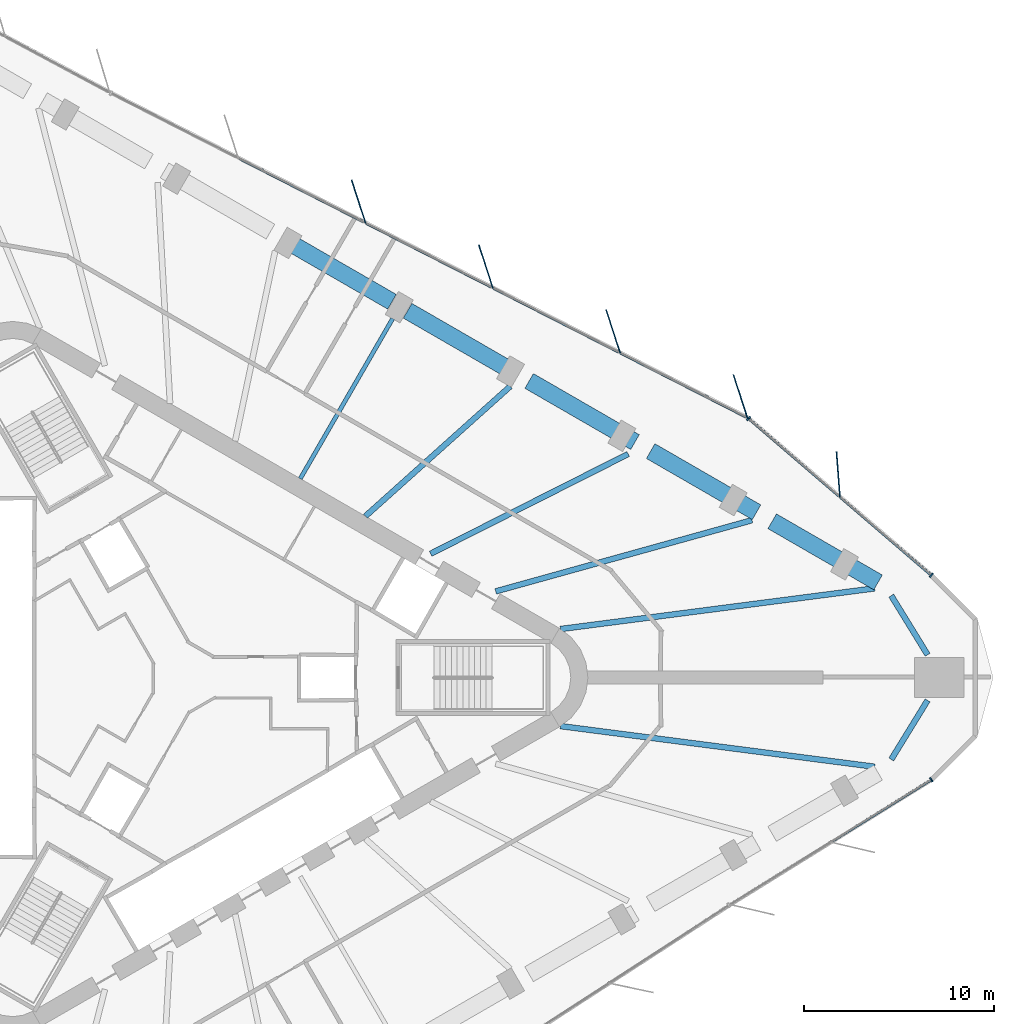
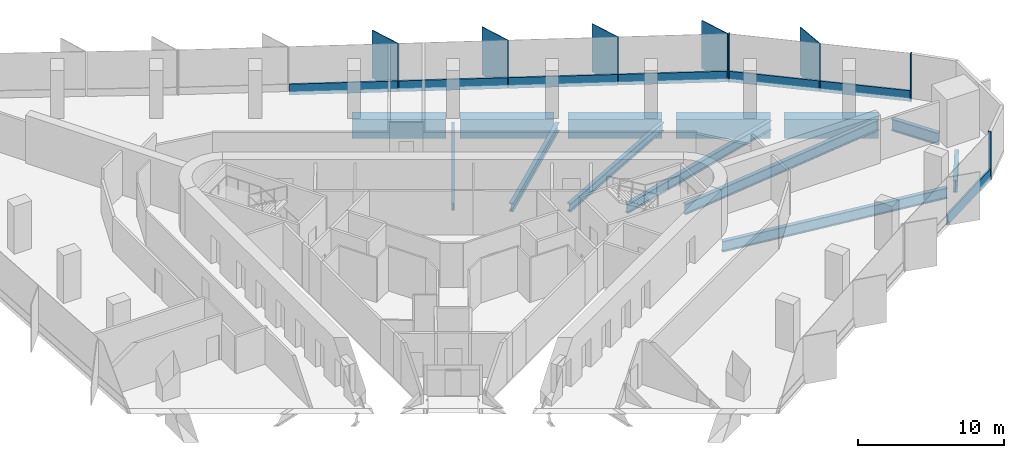
# One storey, part 5 of 13: 15 members, 13 beams, 3 elements without a shape of their own.
"""IFC4 building model written with IfcOpenShell, lengths in metres."""

from ifc_helpers import new_model, si_unit, direction, frame, origin, origin_2d, place, context, subcontext, project, spatial, rectangle, i_section, extrude, material, material_profile, profile_set, type_object, element, aggregate, save


model = new_model("IFC4")

# Units and contexts
model_context = context("Model", 3, precision=1e-05, world=origin(), true_north=direction((0.0, 1.0)))
body_context = subcontext(model_context, "Body", "Model", "MODEL_VIEW")
ifc_project = project(units=[si_unit("LENGTHUNIT", "METRE"), si_unit("AREAUNIT", "SQUARE_METRE"), si_unit("VOLUMEUNIT", "CUBIC_METRE"), si_unit("PLANEANGLEUNIT", "RADIAN"), si_unit("MASSUNIT", "GRAM", prefix="KILO")], contexts=[model_context])

# Site, building, storey
site_placement = place(None, origin())
site = spatial("IfcSite", under=ifc_project, at=site_placement, CompositionType="ELEMENT")
building_placement = place(site_placement, origin())
building = spatial("IfcBuilding", under=site, at=building_placement, Name="Tanit Gate Tower", CompositionType="ELEMENT")
storey_placement = place(building_placement, frame((0.0, 0.0, 169.199951171875)))
storey = spatial("IfcBuildingStorey", under=building, at=storey_placement, Name="L36", CompositionType="ELEMENT", Elevation=169.199951171875)

# Beams
ifc_material_1 = material(Name="Steel S460", Category="steel")
ifc_material_profile_1 = material_profile(ifc_material_1, i_section(OverallWidth=0.302001953125, OverallDepth=1.008056640625, WebThickness=0.02099609375, FlangeThickness=0.0400390625, FilletRadius=0.030029296875, at=origin_2d()), Name="HEM 1000")
ifc_profile_set_1 = profile_set([ifc_material_profile_1], Name="Steel S460")
beam_type_1 = type_object("IfcBeamType", Name="BELT TRUSS CHORD HEM 1000 S460", PredefinedType="BEAM", material=ifc_profile_set_1)
for number, where, z_axis, x_axis, name in (
    (1, (37.1787109375, -4.31396484375, -0.803955078125), (0.523601681964, 0.851963190898, 0.0), (-0.851963190898, 0.523601681964, 0.0), "BELT TRUSS CHORD"),
    (2, (39.092529296875, 1.199951171875, -0.803955078125), (-0.523601681964, 0.851963190898, 0.0), (-0.851963190898, -0.523601681964, 0.0), "BELT TRUSS CHORD"),
):
    element("IfcBeam", number, at=place(storey_placement, frame(where, z_axis=z_axis, x_axis=x_axis)), inside=storey, type_object=beam_type_1, Name=name, PredefinedType="BEAM", context=body_context, shape_type="SweptSolid", body=[
        extrude(i_section(OverallWidth=0.302001953125, OverallDepth=1.008056640625, WebThickness=0.02099609375, FlangeThickness=0.0400390625, FilletRadius=0.030029296875, at=origin_2d()), origin(), (0.0, 0.0, 1.0), 3.655029296875),
    ])

# Curtain wall, member
ifc_material_2 = material(Name="Aluminium bronze anodised and glass", Category="aluminium")
curtain_wall_type = type_object("IfcCurtainWallType", Name="Curtain wall typical mid", PredefinedType="NOTDEFINED", material=ifc_material_2)
curtain_wall_1_placement = place(storey_placement, origin())
curtain_wall_1 = element("IfcCurtainWall", 3, at=curtain_wall_1_placement, inside=storey, type_object=curtain_wall_type, Name="Curtain wall L36 NE1", PredefinedType="NOTDEFINED")
ifc_material_3 = material(Name="Aluminium bronze anodised", Category="aluminium")
ifc_material_profile_2 = material_profile(ifc_material_3, rectangle(XDim=2.39990234375, YDim=0.055908203125, at=origin_2d()), Name="56x2400 bronze fin mullion")
ifc_profile_set_2 = profile_set([ifc_material_profile_2], Name="Aluminium bronze anodised")
member_type_1 = type_object("IfcMemberType", Name="FIN MULLION 56x2400 bronze", PredefinedType="MULLION", material=ifc_profile_set_2)
member_1_placement = place(storey_placement, frame((34.385009765625, 10.6943359375, -0.300048828125), z_axis=(0.0, 0.0, 1.0), x_axis=(0.076470904404, -0.997071813251, 0.0)))
member_1 = element("IfcMember", 4, at=member_1_placement, type_object=member_type_1, Name="Fin mullion L36 NE1.2", PredefinedType="MULLION", context=body_context, shape_type="SweptSolid", body=[
    extrude(rectangle(XDim=2.39990234375, YDim=0.055908203125, at=origin_2d()), origin(), (0.0, 0.0, 1.0), 4.0),
])

# Curtain wall, members
curtain_wall_2_placement = place(storey_placement, origin())
curtain_wall_2 = element("IfcCurtainWall", 5, at=curtain_wall_2_placement, inside=storey, type_object=curtain_wall_type, Name="Curtain wall L36 NE2", PredefinedType="NOTDEFINED")
member_2_placement = place(storey_placement, frame((29.23388671875, 14.810546875, -0.300048828125), z_axis=(0.0, 0.0, 1.0), x_axis=(0.308568289465, -0.951202192353, 0.0)))
member_2 = element("IfcMember", 6, at=member_2_placement, type_object=member_type_1, Name="Fin mullion L36 NE2.1", PredefinedType="MULLION", context=body_context, shape_type="SweptSolid", body=[
    extrude(rectangle(XDim=2.39990234375, YDim=0.055908203125, at=origin_2d()), origin(), (0.0, 0.0, 1.0), 4.0),
])
member_3_placement = place(storey_placement, frame((22.530029296875, 18.23046875, -0.300048828125), z_axis=(0.0, 0.0, 1.0), x_axis=(0.308568289465, -0.951202192353, 0.0)))
member_3 = element("IfcMember", 7, at=member_3_placement, type_object=member_type_1, Name="Fin mullion L36 NE2.2", PredefinedType="MULLION", context=body_context, shape_type="SweptSolid", body=[
    extrude(rectangle(XDim=2.39990234375, YDim=0.055908203125, at=origin_2d()), origin(), (0.0, 0.0, 1.0), 4.0),
])
member_4_placement = place(storey_placement, frame((15.826171875, 21.650146484375, -0.300048828125), z_axis=(0.0, 0.0, 1.0), x_axis=(0.308568289465, -0.951202192353, 0.0)))
member_4 = element("IfcMember", 8, at=member_4_placement, type_object=member_type_1, Name="Fin mullion L36 NE2.3", PredefinedType="MULLION", context=body_context, shape_type="SweptSolid", body=[
    extrude(rectangle(XDim=2.39990234375, YDim=0.055908203125, at=origin_2d()), origin(), (0.0, 0.0, 1.0), 4.0),
])
member_5_placement = place(storey_placement, frame((9.1220703125, 25.070068359375, -0.300048828125), z_axis=(0.0, 0.0, 1.0), x_axis=(0.308568289465, -0.951202192353, 0.0)))
member_5 = element("IfcMember", 9, at=member_5_placement, type_object=member_type_1, Name="Fin mullion L36 NE2.4", PredefinedType="MULLION", context=body_context, shape_type="SweptSolid", body=[
    extrude(rectangle(XDim=2.39990234375, YDim=0.055908203125, at=origin_2d()), origin(), (0.0, 0.0, 1.0), 4.0),
])

# Member
ifc_material_4 = material(Name="Aluminium bronze anodised", Category="aluminium")
ifc_material_profile_3 = material_profile(ifc_material_4, rectangle(XDim=0.260009765625, YDim=0.080078125, at=origin_2d()), Name="80x260 bronze mullion")
ifc_profile_set_3 = profile_set([ifc_material_profile_3], Name="Aluminium bronze anodised")
member_type_2 = type_object("IfcMemberType", Name="Mullion 80x260 typical mid", PredefinedType="MULLION", material=ifc_profile_set_3)
member_6_placement = place(storey_placement, frame((39.28662109375, 5.39306640625, -0.300048828125), z_axis=(0.0, 0.0, 1.0), x_axis=(-0.650963145412, -0.759109335547, 0.0)))
member_6 = element("IfcMember", 10, at=member_6_placement, type_object=member_type_2, Name="Mullion L36 NE1.1", PredefinedType="MULLION", context=body_context, shape_type="SweptSolid", body=[
    extrude(rectangle(XDim=0.260009765625, YDim=0.080078125, at=origin_2d()), origin(), (0.0, 0.0, 1.0), 4.0),
])

member_7_placement = place(storey_placement, frame((29.66357421875, 13.645263671875, -0.300048828125), z_axis=(0.0, 0.0, 1.0), x_axis=(-0.650963145412, -0.759109335547, 0.0)))
member_7 = element("IfcMember", 11, at=member_7_placement, type_object=member_type_2, Name="Mullion L36 NE1.3", PredefinedType="MULLION", context=body_context, shape_type="SweptSolid", body=[
    extrude(rectangle(XDim=0.260009765625, YDim=0.080078125, at=origin_2d()), origin(), (0.0, 0.0, 1.0), 4.0),
])

# Curtain wall, member
curtain_wall_3_placement = place(storey_placement, origin())
curtain_wall_3 = element("IfcCurtainWall", 12, at=curtain_wall_3_placement, inside=storey, type_object=curtain_wall_type, Name="Curtain wall L36 SE3", PredefinedType="NOTDEFINED")
member_8_placement = place(storey_placement, frame((39.28955078125, -5.381591796875, -0.300048828125), z_axis=(0.0, 0.0, 1.0), x_axis=(-0.527101844908, 0.84980212114, 0.0)))
member_8 = element("IfcMember", 13, at=member_8_placement, type_object=member_type_2, Name="Mullion L36 SE3.3", PredefinedType="MULLION", context=body_context, shape_type="SweptSolid", body=[
    extrude(rectangle(XDim=0.260009765625, YDim=0.080078125, at=origin_2d()), origin(), (0.0, 0.0, 1.0), 4.0),
])

# Beams
ifc_material_5 = material(Name="Steel S355", Category="steel")
ifc_material_profile_4 = material_profile(ifc_material_5, i_section(OverallWidth=0.300048828125, OverallDepth=0.68994140625, WebThickness=0.014404296875, FlangeThickness=0.027099609375, FilletRadius=0.027099609375, at=origin_2d()), Name="HEA 700")
ifc_profile_set_4 = profile_set([ifc_material_profile_4], Name="Steel S355")
beam_type_2 = type_object("IfcBeamType", Name="RADIAL GIRDER HEA 700 S355", PredefinedType="BEAM", material=ifc_profile_set_4)
beam_1_placement = place(storey_placement, frame((23.3193359375, 11.774658203125, -0.64501953125), z_axis=(-0.892657080142, -0.450736438811, 0.0), x_axis=(0.450736438811, -0.892657080142, 0.0)))
element("IfcBeam", 14, at=beam_1_placement, inside=storey, type_object=beam_type_2, Name="RADIAL GIRDER", PredefinedType="BEAM", context=body_context, shape_type="SweptSolid", body=[
    extrude(i_section(OverallWidth=0.300048828125, OverallDepth=0.68994140625, WebThickness=0.014404296875, FlangeThickness=0.027099609375, FilletRadius=0.027099609375, at=origin_2d()), origin(), (0.0, 0.0, 1.0), 11.658935546875),
])
beam_2_placement = place(storey_placement, frame((17.104736328125, 15.33447265625, -0.64501953125), z_axis=(-0.744579249177, -0.667534075307, 0.0), x_axis=(0.667534075307, -0.744579249177, 0.0)))
element("IfcBeam", 15, at=beam_2_placement, inside=storey, type_object=beam_type_2, Name="RADIAL GIRDER", PredefinedType="BEAM", context=body_context, shape_type="SweptSolid", body=[
    extrude(i_section(OverallWidth=0.300048828125, OverallDepth=0.68994140625, WebThickness=0.014404296875, FlangeThickness=0.027099609375, FilletRadius=0.027099609375, at=origin_2d()), origin(), (0.0, 0.0, 1.0), 10.23828125),
])
ifc_material_6 = material(Name="Steel S355", Category="steel")
ifc_material_profile_5 = material_profile(ifc_material_6, i_section(OverallWidth=0.300048828125, OverallDepth=0.7900390625, WebThickness=0.014892578125, FlangeThickness=0.028076171875, FilletRadius=0.030029296875, at=origin_2d()), Name="HEA 800")
ifc_profile_set_5 = profile_set([ifc_material_profile_5], Name="Steel S355")
beam_type_3 = type_object("IfcBeamType", Name="RADIAL GIRDER HEA 800 S355", PredefinedType="BEAM", material=ifc_profile_set_5)
beam_3_placement = place(storey_placement, frame((29.841552734375, 8.288330078125, -0.695068359375), z_axis=(-0.9635276455, -0.267608812181, 0.0), x_axis=(0.267608812181, -0.9635276455, 0.0)))
element("IfcBeam", 16, at=beam_3_placement, inside=storey, type_object=beam_type_3, Name="RADIAL GIRDER", PredefinedType="BEAM", context=body_context, shape_type="SweptSolid", body=[
    extrude(i_section(OverallWidth=0.300048828125, OverallDepth=0.7900390625, WebThickness=0.014892578125, FlangeThickness=0.028076171875, FilletRadius=0.030029296875, at=origin_2d()), origin(), (0.0, 0.0, 1.0), 14.01025390625),
])
ifc_material_7 = material(Name="Steel S355", Category="steel")
ifc_material_profile_6 = material_profile(ifc_material_7, i_section(OverallWidth=0.300048828125, OverallDepth=0.889892578125, WebThickness=0.01611328125, FlangeThickness=0.030029296875, FilletRadius=0.030029296875, at=origin_2d()), Name="HEA 900")
ifc_profile_set_6 = profile_set([ifc_material_profile_6], Name="Steel S355")
beam_type_4 = type_object("IfcBeamType", Name="RADIAL GIRDER HEA 900 S355", PredefinedType="BEAM", material=ifc_profile_set_6)
for number, where, z_axis, x_axis, name in (
    (17, (36.302978515625, -4.697509765625, -0.744873046875), (-0.991730467471, 0.128338146668, 0.0), (-0.128338146668, -0.991730467471, 0.0), "RADIAL GIRDER"),
    (18, (36.302978515625, 4.697509765625, -0.744873046875), (-0.991730467471, -0.128338146668, 0.0), (0.128338146668, -0.991730467471, 0.0), "RADIAL GIRDER"),
):
    element("IfcBeam", number, at=place(storey_placement, frame(where, z_axis=z_axis, x_axis=x_axis)), inside=storey, type_object=beam_type_4, Name=name, PredefinedType="BEAM", context=body_context, shape_type="SweptSolid", body=[
        extrude(i_section(OverallWidth=0.300048828125, OverallDepth=0.889892578125, WebThickness=0.01611328125, FlangeThickness=0.030029296875, FilletRadius=0.030029296875, at=origin_2d()), origin(), (0.0, 0.0, 1.0), 16.683349609375),
    ])
ifc_material_8 = material(Name="Steel S355", Category="steel")
ifc_material_profile_7 = material_profile(ifc_material_8, i_section(OverallWidth=0.219970703125, OverallDepth=0.60009765625, WebThickness=0.011962890625, FlangeThickness=0.01904296875, FilletRadius=0.02392578125, at=origin_2d()), Name="IPE 600")
ifc_profile_set_7 = profile_set([ifc_material_profile_7], Name="Steel S355")
beam_type_5 = type_object("IfcBeamType", Name="RADIAL GIRDER IPE 600 S355", PredefinedType="BEAM", material=ifc_profile_set_7)
beam_4_placement = place(storey_placement, frame((10.916259765625, 18.907470703125, -0.599853515625), z_axis=(-0.500003351622, -0.866023468716, 0.0), x_axis=(0.866023468716, -0.500003351622, 0.0)))
element("IfcBeam", 19, at=beam_4_placement, inside=storey, type_object=beam_type_5, Name="RADIAL GIRDER", PredefinedType="BEAM", context=body_context, shape_type="SweptSolid", body=[
    extrude(i_section(OverallWidth=0.219970703125, OverallDepth=0.60009765625, WebThickness=0.011962890625, FlangeThickness=0.01904296875, FilletRadius=0.02392578125, at=origin_2d()), origin(), (0.0, 0.0, 1.0), 9.73046875),
])
ifc_material_9 = material(Name="Concrete C60/75", Category="concrete")
ifc_material_profile_8 = material_profile(ifc_material_9, rectangle(XDim=0.89990234375, YDim=1.60009765625, at=origin_2d()), Name="RC 900x1600")
ifc_profile_set_8 = profile_set([ifc_material_profile_8], Name="Concrete C60/75")
beam_type_6 = type_object("IfcBeamType", Name="TRANSFER GIRDER 900x1600 C60/75", PredefinedType="USERDEFINED", material=ifc_profile_set_8)
beam_5_placement = place(storey_placement, frame((36.484619140625, 5.01171875, -1.099853515625), z_axis=(-0.866023373617, 0.500003516336, 0.0), x_axis=(-0.500003516336, -0.866023373617, 0.0)))
element("IfcBeam", 20, at=beam_5_placement, inside=storey, type_object=beam_type_6, Name="TRANSFER GIRDER", ObjectType="GIRDER", PredefinedType="USERDEFINED", context=body_context, shape_type="SweptSolid", body=[
    extrude(rectangle(XDim=0.89990234375, YDim=1.60009765625, at=origin_2d()), origin(), (0.0, 0.0, 1.0), 6.44140625),
])
beam_6_placement = place(storey_placement, frame((30.08349609375, 8.707275390625, -1.099853515625), z_axis=(-0.86603284879, 0.49998710465, 0.0), x_axis=(-0.49998710465, -0.86603284879, 0.0)))
element("IfcBeam", 21, at=beam_6_placement, inside=storey, type_object=beam_type_6, Name="TRANSFER GIRDER", ObjectType="GIRDER", PredefinedType="USERDEFINED", context=body_context, shape_type="SweptSolid", body=[
    extrude(rectangle(XDim=0.89990234375, YDim=1.60009765625, at=origin_2d()), origin(), (0.0, 0.0, 1.0), 6.441650390625),
])
for number, where, z_axis, x_axis, name in (
    (22, (23.68212890625, 12.403076171875, -1.099853515625), (-0.866023373617, 0.500003516336, 0.0), (-0.500003516336, -0.866023373617, 0.0), "TRANSFER GIRDER"),
    (23, (17.281005859375, 16.0986328125, -1.099853515625), (-0.866006961327, 0.500031941914, 0.0), (-0.500031941914, -0.866006961327, 0.0), "TRANSFER GIRDER"),
    (24, (10.8798828125, 19.79443359375, -1.099853515625), (-0.866023373617, 0.500003516336, 0.0), (-0.500003516336, -0.866023373617, 0.0), "TRANSFER GIRDER"),
):
    element("IfcBeam", number, at=place(storey_placement, frame(where, z_axis=z_axis, x_axis=x_axis)), inside=storey, type_object=beam_type_6, Name=name, ObjectType="GIRDER", PredefinedType="USERDEFINED", context=body_context, shape_type="SweptSolid", body=[
        extrude(rectangle(XDim=0.89990234375, YDim=1.60009765625, at=origin_2d()), origin(), (0.0, 0.0, 1.0), 6.44140625),
    ])

# Member
ifc_material_10 = material(Name="Aluminium bronze anodised", Category="aluminium")
ifc_material_profile_9 = material_profile(ifc_material_10, rectangle(XDim=0.139892578125, YDim=0.89990234375, at=origin_2d()), Name="140x900 bronze transom")
ifc_profile_set_9 = profile_set([ifc_material_profile_9], Name="Aluminium bronze anodised")
member_type_3 = type_object("IfcMemberType", Name="Transom 140x900 typical mid", PredefinedType="USERDEFINED", material=ifc_profile_set_9)
member_9_placement = place(storey_placement, frame((39.256103515625, 5.419189453125, 0.150146484375), z_axis=(-0.759105129314, 0.650968050406, 0.0), x_axis=(-0.650968050406, -0.759105129314, 0.0)))
member_9 = element("IfcMember", 25, at=member_9_placement, type_object=member_type_3, Name="Transom L36 NE1.1", ObjectType="TRANSOM", PredefinedType="USERDEFINED", context=body_context, shape_type="SweptSolid", body=[
    extrude(rectangle(XDim=0.139892578125, YDim=0.89990234375, at=origin_2d()), origin(), (0.0, 0.0, 1.0), 6.25830078125),
])

member_10_placement = place(storey_placement, frame((34.444580078125, 9.545166015625, 0.150146484375), z_axis=(-0.759105129314, 0.650968050406, 0.0), x_axis=(-0.650968050406, -0.759105129314, 0.0)))
member_10 = element("IfcMember", 26, at=member_10_placement, type_object=member_type_3, Name="Transom L36 NE1.2", ObjectType="TRANSOM", PredefinedType="USERDEFINED", context=body_context, shape_type="SweptSolid", body=[
    extrude(rectangle(XDim=0.139892578125, YDim=0.89990234375, at=origin_2d()), origin(), (0.0, 0.0, 1.0), 6.25830078125),
])

aggregate(curtain_wall_1, [member_6, member_1, member_7, member_9, member_10])

member_11_placement = place(storey_placement, frame((29.56201171875, 13.70751953125, 0.150146484375), z_axis=(-0.890791394597, 0.454412468261, 0.0), x_axis=(-0.454412468261, -0.890791394597, 0.0)))
member_11 = element("IfcMember", 27, at=member_11_placement, type_object=member_type_3, Name="Transom L36 NE2.1", ObjectType="TRANSOM", PredefinedType="USERDEFINED", context=body_context, shape_type="SweptSolid", body=[
    extrude(rectangle(XDim=0.139892578125, YDim=0.89990234375, at=origin_2d()), origin(), (0.0, 0.0, 1.0), 7.446044921875),
])

member_12_placement = place(storey_placement, frame((22.85791015625, 17.12744140625, 0.150146484375), z_axis=(-0.890797896574, 0.454399722116, 0.0), x_axis=(-0.454399722116, -0.890797896574, 0.0)))
member_12 = element("IfcMember", 28, at=member_12_placement, type_object=member_type_3, Name="Transom L36 NE2.2", ObjectType="TRANSOM", PredefinedType="USERDEFINED", context=body_context, shape_type="SweptSolid", body=[
    extrude(rectangle(XDim=0.139892578125, YDim=0.89990234375, at=origin_2d()), origin(), (0.0, 0.0, 1.0), 7.445556640625),
])

member_13_placement = place(storey_placement, frame((16.154052734375, 20.547119140625, 0.150146484375), z_axis=(-0.890784623831, 0.45442574085, 0.0), x_axis=(-0.45442574085, -0.890784623831, 0.0)))
member_13 = element("IfcMember", 29, at=member_13_placement, type_object=member_type_3, Name="Transom L36 NE2.3", ObjectType="TRANSOM", PredefinedType="USERDEFINED", context=body_context, shape_type="SweptSolid", body=[
    extrude(rectangle(XDim=0.139892578125, YDim=0.89990234375, at=origin_2d()), origin(), (0.0, 0.0, 1.0), 7.44580078125),
])

member_14_placement = place(storey_placement, frame((9.4501953125, 23.967041015625, 0.150146484375), z_axis=(-0.890797896574, 0.454399722116, 0.0), x_axis=(-0.454399722116, -0.890797896574, 0.0)))
member_14 = element("IfcMember", 30, at=member_14_placement, type_object=member_type_3, Name="Transom L36 NE2.4", ObjectType="TRANSOM", PredefinedType="USERDEFINED", context=body_context, shape_type="SweptSolid", body=[
    extrude(rectangle(XDim=0.139892578125, YDim=0.89990234375, at=origin_2d()), origin(), (0.0, 0.0, 1.0), 7.445556640625),
])

aggregate(curtain_wall_2, [member_2, member_3, member_4, member_5, member_11, member_12, member_13, member_14])

member_15_placement = place(storey_placement, frame((34.024658203125, -8.647216796875, 0.150146484375), z_axis=(0.849787210974, 0.52712588256, 0.0), x_axis=(-0.52712588256, 0.849787210974, 0.0)))
member_15 = element("IfcMember", 31, at=member_15_placement, type_object=member_type_3, Name="Transom L36 SE3.2", ObjectType="TRANSOM", PredefinedType="USERDEFINED", context=body_context, shape_type="SweptSolid", body=[
    extrude(rectangle(XDim=0.139892578125, YDim=0.89990234375, at=origin_2d()), origin(), (0.0, 0.0, 1.0), 6.1552734375),
])

aggregate(curtain_wall_3, [member_8, member_15])

save(model, "model.ifc")
